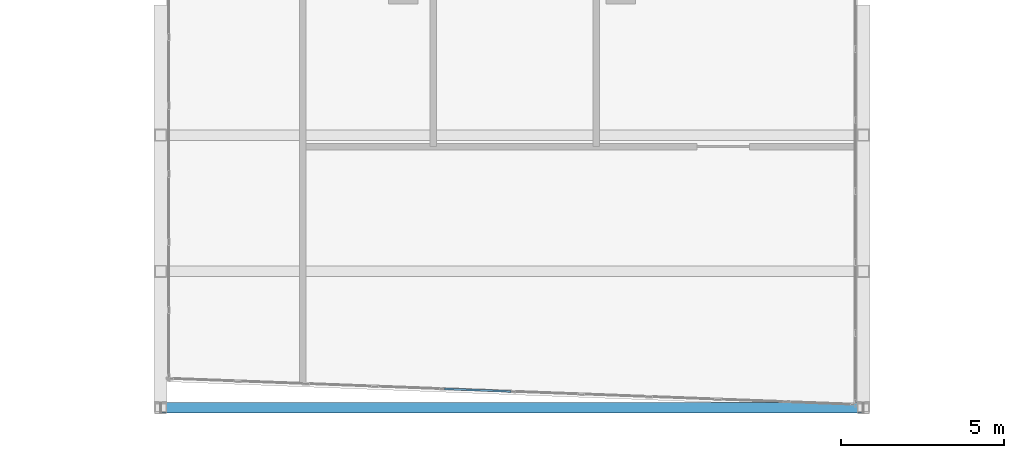
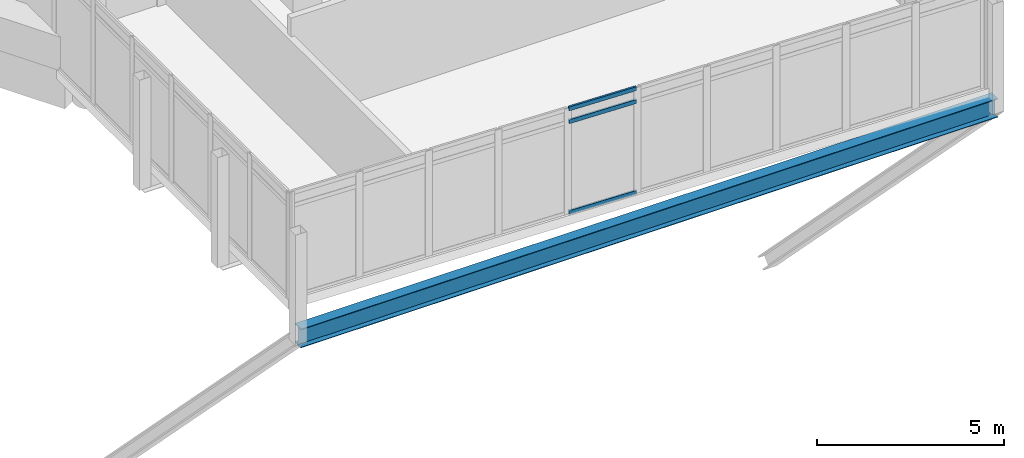
# One storey, part 5 of 34: 3 members, 1 beam, 1 element without a shape of its own.
"""IFC4 building model written with IfcOpenShell, lengths in metres."""

from ifc_helpers import new_model, si_unit, direction, frame, origin, origin_2d, place, context, subcontext, project, spatial, hollow_rectangle, i_section, extrude, material, material_profile, profile_set, type_object, element, aggregate, save


model = new_model("IFC4")

# Units and contexts
model_context = context("Model", 3, precision=1e-05, world=origin(), true_north=direction((0.0, 1.0)))
body_context = subcontext(model_context, "Body", "Model", "MODEL_VIEW")
ifc_project = project(units=[si_unit("LENGTHUNIT", "METRE"), si_unit("AREAUNIT", "SQUARE_METRE"), si_unit("VOLUMEUNIT", "CUBIC_METRE"), si_unit("PLANEANGLEUNIT", "RADIAN"), si_unit("MASSUNIT", "GRAM", prefix="KILO")], contexts=[model_context])

# Site, building, storey
site_placement = place(None, origin())
site = spatial("IfcSite", under=ifc_project, at=site_placement, CompositionType="ELEMENT")
building_placement = place(site_placement, origin())
building = spatial("IfcBuilding", under=site, at=building_placement, Name="Ostrander Bayou Hotel Tower", CompositionType="ELEMENT")
storey_placement = place(building_placement, frame((0.0, 0.0, 222.0)))
storey = spatial("IfcBuildingStorey", under=building, at=storey_placement, Name="L55", CompositionType="ELEMENT", Elevation=222.0)

# Curtain wall, members
ifc_material_1 = material(Name="Aluminium and clear glass", Category="aluminium")
curtain_wall_type = type_object("IfcCurtainWallType", Name="CW-BAR glazed wall", PredefinedType="NOTDEFINED", material=ifc_material_1)
curtain_wall_placement = place(storey_placement, origin())
curtain_wall = element("IfcCurtainWall", 1, at=curtain_wall_placement, inside=storey, type_object=curtain_wall_type, Name="CW-BAR L55:SB5S:T", PredefinedType="NOTDEFINED")
ifc_material_2 = material(Name="Aluminium", Category="aluminium")
ifc_material_profile_1 = material_profile(ifc_material_2, hollow_rectangle(XDim=0.06005859375, YDim=0.1298828125, WallThickness=0.00390625, at=origin_2d()))
ifc_profile_set_1 = profile_set([ifc_material_profile_1], Name="Aluminium")
member_type = type_object("IfcMemberType", Name="CW-BR transom 60 x 130 mm", PredefinedType="USERDEFINED", material=ifc_profile_set_1)
member_1_placement = place(storey_placement, frame((-2.072509765625, -28.921630859375, 0.030029296875), z_axis=(0.999287402917, -0.037745017849, 0.0), x_axis=(0.037745017849, 0.999287402917, 0.0)))
member_1 = element("IfcMember", 2, at=member_1_placement, type_object=member_type, Name="CW-BAR transom 5.1", ObjectType="TRANSOM", PredefinedType="USERDEFINED", context=body_context, shape_type="SweptSolid", body=[
    extrude(hollow_rectangle(XDim=0.06005859375, YDim=0.1298828125, WallThickness=0.00390625, at=origin_2d()), origin(), (0.0, 0.0, 1.0), 2.0439453125),
])
member_2_placement = place(storey_placement, frame((-2.072509765625, -28.921630859375, 3.0), z_axis=(0.999287402917, -0.037745017849, 0.0), x_axis=(0.037745017849, 0.999287402917, 0.0)))
member_2 = element("IfcMember", 3, at=member_2_placement, type_object=member_type, Name="CW-BAR transom 5.2", ObjectType="TRANSOM", PredefinedType="USERDEFINED", context=body_context, shape_type="SweptSolid", body=[
    extrude(hollow_rectangle(XDim=0.06005859375, YDim=0.1298828125, WallThickness=0.00390625, at=origin_2d()), origin(), (0.0, 0.0, 1.0), 2.0439453125),
])
member_3_placement = place(storey_placement, frame((-2.072509765625, -28.921630859375, 3.419921875), z_axis=(0.999287402917, -0.037745017849, 0.0), x_axis=(0.037745017849, 0.999287402917, 0.0)))
member_3 = element("IfcMember", 4, at=member_3_placement, type_object=member_type, Name="CW-BAR transom 5.3", ObjectType="TRANSOM", PredefinedType="USERDEFINED", context=body_context, shape_type="SweptSolid", body=[
    extrude(hollow_rectangle(XDim=0.06005859375, YDim=0.1298828125, WallThickness=0.00390625, at=origin_2d()), origin(), (0.0, 0.0, 1.0), 2.0439453125),
])
aggregate(curtain_wall, [member_1, member_2, member_3])

# Beam
ifc_material_3 = material(Name="Steel ASTM A992", Category="steel")
ifc_material_profile_2 = material_profile(ifc_material_3, i_section(OverallWidth=0.32373046875, OverallDepth=0.611083984375, WebThickness=0.0126953125, FlangeThickness=0.01904296875, at=origin_2d()))
ifc_profile_set_2 = profile_set([ifc_material_profile_2], Name="Steel ASTM A992")
beam_type = type_object("IfcBeamType", Name="TF2 bar floor beam W24x104", PredefinedType="BEAM", material=ifc_profile_set_2)
beam_placement = place(storey_placement, frame((-10.764892578125, -29.5, -0.605712890625), z_axis=(1.0, 0.0, 0.0), x_axis=(0.0, 1.0, 0.0)))
element("IfcBeam", 5, at=beam_placement, inside=storey, type_object=beam_type, Name="TF2 SB5S L1-3", PredefinedType="BEAM", context=body_context, shape_type="SweptSolid", body=[
    extrude(i_section(OverallWidth=0.32373046875, OverallDepth=0.611083984375, WebThickness=0.0126953125, FlangeThickness=0.01904296875, at=origin_2d()), origin(), (0.0, 0.0, 1.0), 21.52978515625),
])

save(model, "model.ifc")
